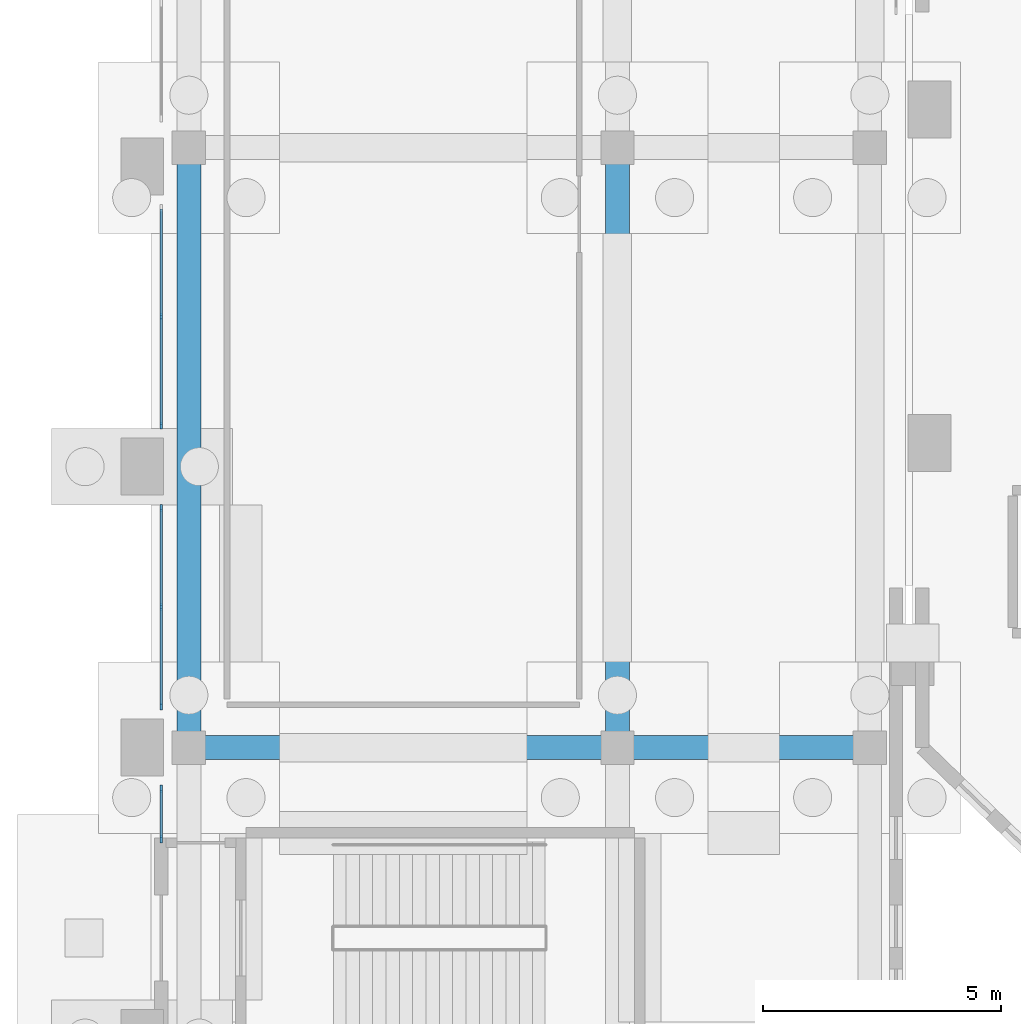
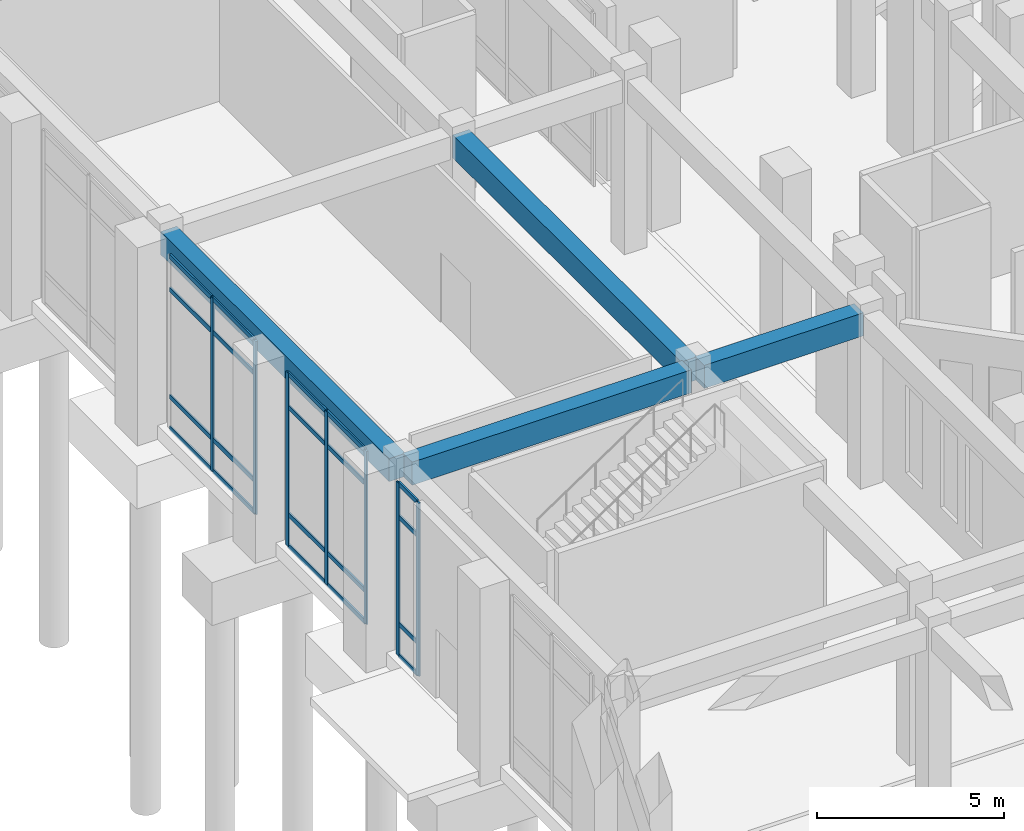
# One storey, part 27 of 143: 27 members, 4 beams, 3 elements without a shape of their own.
"""IFC4 building model written with IfcOpenShell, lengths in metres."""

from ifc_helpers import new_model, si_unit, derived_unit, direction, frame, origin, origin_2d, place, context, subcontext, project, spatial, rectangle, extrude, material, layer, layer_set, material_profile, profile_set, type_object, element, aggregate, save


model = new_model("IFC4")

# Units and contexts
model_context = context("Model", 3, precision=1e-05, world=origin(), true_north=direction((0.0, 1.0)))
body_context = subcontext(model_context, "Body", "Model", "MODEL_VIEW")
ifc_project = project(units=[si_unit("LENGTHUNIT", "METRE"), si_unit("AREAUNIT", "SQUARE_METRE"), si_unit("VOLUMEUNIT", "CUBIC_METRE"), si_unit("PLANEANGLEUNIT", "RADIAN"), si_unit("MASSUNIT", "GRAM", prefix="KILO"), derived_unit("THERMALTRANSMITTANCEUNIT", [(si_unit("MASSUNIT", "GRAM", prefix="KILO"), 1), (si_unit("TIMEUNIT", "SECOND"), -3), (si_unit("THERMODYNAMICTEMPERATUREUNIT", "KELVIN"), -1)])], contexts=[model_context])

# Site, building, storey
site_placement = place(None, origin())
site = spatial("IfcSite", under=ifc_project, at=site_placement, CompositionType="ELEMENT")
building_placement = place(site_placement, origin())
building = spatial("IfcBuilding", under=site, at=building_placement, Name="Valcora Ridge Arena", CompositionType="ELEMENT")
storey_placement = place(building_placement, origin())
storey = spatial("IfcBuildingStorey", under=building, at=storey_placement, Name="L00", CompositionType="ELEMENT", Elevation=0.0)

# Beams
ifc_material_1 = material(Name="Concrete C40/50", Category="concrete")
ifc_material_profile_1 = material_profile(ifc_material_1, rectangle(XDim=0.5, YDim=0.75, at=origin_2d()), Name="RC 500x750")
ifc_profile_set_1 = profile_set([ifc_material_profile_1], Name="Concrete C40/50")
beam_type_1 = type_object("IfcBeamType", Name="TY-BEAM-B-RC500-X", PredefinedType="BEAM", material=ifc_profile_set_1)
beam_1_placement = place(storey_placement, frame((1.0, 32.60009765625, 5.264892578125), z_axis=(1.0, 0.0, 0.0), x_axis=(0.0, 1.0, 0.0)))
element("IfcBeam", 1, at=beam_1_placement, inside=storey, type_object=beam_type_1, Name="B-RC500-X BEM-B-RC500-X-0017", PredefinedType="BEAM", context=body_context, shape_type="SweptSolid", body=[
    extrude(rectangle(XDim=0.5, YDim=0.75, at=origin_2d()), origin(), (0.0, 0.0, 1.0), 8.60009765625),
])
beam_2_placement = place(storey_placement, frame((10.0, 32.60009765625, 5.264892578125), z_axis=(1.0, 0.0, 0.0), x_axis=(0.0, 1.0, 0.0)))
element("IfcBeam", 2, at=beam_2_placement, inside=storey, type_object=beam_type_1, Name="B-RC500-X BEM-B-RC500-X-0018", PredefinedType="BEAM", context=body_context, shape_type="SweptSolid", body=[
    extrude(rectangle(XDim=0.5, YDim=0.75, at=origin_2d()), origin(), (0.0, 0.0, 1.0), 4.89990234375),
])
ifc_material_profile_2 = material_profile(ifc_material_1, rectangle(XDim=0.5, YDim=0.75, at=origin_2d()), Name="RC 500x750")
ifc_profile_set_2 = profile_set([ifc_material_profile_2], Name="Concrete C40/50")
beam_type_2 = type_object("IfcBeamType", Name="TY-BEAM-B-RC500-Y", PredefinedType="BEAM", material=ifc_profile_set_2)
for number, where, z_axis, x_axis, name in (
    (3, (0.800048828125, 32.800048828125, 5.264892578125), (0.0, 1.0, 0.0), (-1.0, 0.0, 0.0), "B-RC500-Y BEM-B-RC500-Y-0004"),
    (4, (9.800048828125, 32.800048828125, 5.264892578125), (0.0, 1.0, 0.0), (-1.0, 0.0, 0.0), "B-RC500-Y BEM-B-RC500-Y-0012"),
):
    element("IfcBeam", number, at=place(storey_placement, frame(where, z_axis=z_axis, x_axis=x_axis)), inside=storey, type_object=beam_type_2, Name=name, PredefinedType="BEAM", context=body_context, shape_type="SweptSolid", body=[
        extrude(rectangle(XDim=0.5, YDim=0.75, at=origin_2d()), origin(), (0.0, 0.0, 1.0), 12.199951171875),
    ])

# Curtain wall, members
ifc_material_2 = material(Name="Anodised dark bronze architectural aluminium 6063-T6", Category="aluminium")
ifc_layer_1 = layer(ifc_material_2, 0.14990234375, Name="Anodised dark bronze architectural aluminium 6063-T6")
ifc_layer_set_1 = layer_set([ifc_layer_1], Name="Anodised dark bronze architectural aluminium 6063-T6")
curtain_wall_type_1 = type_object("IfcCurtainWallType", Name="TY-CURTAINWALL-CW-V4-CLUB-011X56", PredefinedType="NOTDEFINED", material=ifc_layer_set_1)
curtain_wall_1_placement = place(storey_placement, origin())
curtain_wall_1 = element("IfcCurtainWall", 5, at=curtain_wall_1_placement, inside=storey, type_object=curtain_wall_type_1, Name="CW-V4-CLUB-011X56 CW-0191", PredefinedType="NOTDEFINED")
ifc_material_profile_3 = material_profile(ifc_material_2, rectangle(XDim=0.050048828125, YDim=0.14990234375, at=origin_2d()), Name="ALU MULLION 50x150")
ifc_profile_set_3 = profile_set([ifc_material_profile_3], Name="Anodised dark bronze architectural aluminium 6063-T6")
member_type_1 = type_object("IfcMemberType", Name="TY-MEM-CWM-50x150", PredefinedType="MULLION", material=ifc_profile_set_3)
member_1_placement = place(storey_placement, frame((0.219970703125, 30.675048828125, 0.0), z_axis=(0.0, 0.0, 1.0), x_axis=(-1.0, 0.0, 0.0)))
member_1 = element("IfcMember", 6, at=member_1_placement, type_object=member_type_1, Name="CW-0191/CWM-50x150/M00", PredefinedType="MULLION", context=body_context, shape_type="SweptSolid", body=[
    extrude(rectangle(XDim=0.050048828125, YDim=0.14990234375, at=origin_2d()), origin(), (0.0, 0.0, 1.0), 5.639892578125),
])
member_2_placement = place(storey_placement, frame((0.219970703125, 31.735107421875, 0.0), z_axis=(0.0, 0.0, 1.0), x_axis=(-1.0, 0.0, 0.0)))
member_2 = element("IfcMember", 7, at=member_2_placement, type_object=member_type_1, Name="CW-0191/CWM-50x150/M01", PredefinedType="MULLION", context=body_context, shape_type="SweptSolid", body=[
    extrude(rectangle(XDim=0.050048828125, YDim=0.14990234375, at=origin_2d()), origin(), (0.0, 0.0, 1.0), 5.639892578125),
])

ifc_layer_2 = layer(ifc_material_2, 0.14990234375, Name="Anodised dark bronze architectural aluminium 6063-T6")
ifc_layer_set_2 = layer_set([ifc_layer_2], Name="Anodised dark bronze architectural aluminium 6063-T6")
curtain_wall_type_2 = type_object("IfcCurtainWallType", Name="TY-CURTAINWALL-CW-V4-CLUB-042X56", PredefinedType="NOTDEFINED", material=ifc_layer_set_2)
curtain_wall_2_placement = place(storey_placement, origin())
curtain_wall_2 = element("IfcCurtainWall", 8, at=curtain_wall_2_placement, inside=storey, type_object=curtain_wall_type_2, Name="CW-V4-CLUB-042X56 CW-0192", PredefinedType="NOTDEFINED")
member_3_placement = place(storey_placement, frame((0.219970703125, 33.465087890625, 0.0), z_axis=(0.0, 0.0, 1.0), x_axis=(-1.0, 0.0, 0.0)))
member_3 = element("IfcMember", 9, at=member_3_placement, type_object=member_type_1, Name="CW-0192/CWM-50x150/M00", PredefinedType="MULLION", context=body_context, shape_type="SweptSolid", body=[
    extrude(rectangle(XDim=0.050048828125, YDim=0.14990234375, at=origin_2d()), origin(), (0.0, 0.0, 1.0), 5.639892578125),
])
member_4_placement = place(storey_placement, frame((0.219970703125, 35.550048828125, 0.0), z_axis=(0.0, 0.0, 1.0), x_axis=(-1.0, 0.0, 0.0)))
member_4 = element("IfcMember", 10, at=member_4_placement, type_object=member_type_1, Name="CW-0192/CWM-50x150/M01", PredefinedType="MULLION", context=body_context, shape_type="SweptSolid", body=[
    extrude(rectangle(XDim=0.050048828125, YDim=0.14990234375, at=origin_2d()), origin(), (0.0, 0.0, 1.0), 5.639892578125),
])
member_5_placement = place(storey_placement, frame((0.219970703125, 37.635009765625, 0.0), z_axis=(0.0, 0.0, 1.0), x_axis=(-1.0, 0.0, 0.0)))
member_5 = element("IfcMember", 11, at=member_5_placement, type_object=member_type_1, Name="CW-0192/CWM-50x150/M02", PredefinedType="MULLION", context=body_context, shape_type="SweptSolid", body=[
    extrude(rectangle(XDim=0.050048828125, YDim=0.14990234375, at=origin_2d()), origin(), (0.0, 0.0, 1.0), 5.639892578125),
])

ifc_layer_3 = layer(ifc_material_2, 0.14990234375, Name="Anodised dark bronze architectural aluminium 6063-T6")
ifc_layer_set_3 = layer_set([ifc_layer_3], Name="Anodised dark bronze architectural aluminium 6063-T6")
curtain_wall_type_3 = type_object("IfcCurtainWallType", Name="TY-CURTAINWALL-CW-V4-CLUB-046X56", PredefinedType="NOTDEFINED", material=ifc_layer_set_3)
curtain_wall_3_placement = place(storey_placement, origin())
curtain_wall_3 = element("IfcCurtainWall", 12, at=curtain_wall_3_placement, inside=storey, type_object=curtain_wall_type_3, Name="CW-V4-CLUB-046X56 CW-0193", PredefinedType="NOTDEFINED")
member_6_placement = place(storey_placement, frame((0.219970703125, 39.364990234375, 0.0), z_axis=(0.0, 0.0, 1.0), x_axis=(-1.0, 0.0, 0.0)))
member_6 = element("IfcMember", 13, at=member_6_placement, type_object=member_type_1, Name="CW-0193/CWM-50x150/M00", PredefinedType="MULLION", context=body_context, shape_type="SweptSolid", body=[
    extrude(rectangle(XDim=0.050048828125, YDim=0.14990234375, at=origin_2d()), origin(), (0.0, 0.0, 1.0), 5.639892578125),
])
member_7_placement = place(storey_placement, frame((0.219970703125, 41.64990234375, 0.0), z_axis=(0.0, 0.0, 1.0), x_axis=(-1.0, 0.0, 0.0)))
member_7 = element("IfcMember", 14, at=member_7_placement, type_object=member_type_1, Name="CW-0193/CWM-50x150/M01", PredefinedType="MULLION", context=body_context, shape_type="SweptSolid", body=[
    extrude(rectangle(XDim=0.050048828125, YDim=0.14990234375, at=origin_2d()), origin(), (0.0, 0.0, 1.0), 5.639892578125),
])

# Member
ifc_material_profile_4 = material_profile(ifc_material_2, rectangle(XDim=0.050048828125, YDim=0.14990234375, at=origin_2d()), Name="ALU TRANSOM 50x150")
ifc_profile_set_4 = profile_set([ifc_material_profile_4], Name="Anodised dark bronze architectural aluminium 6063-T6")
member_type_2 = type_object("IfcMemberType", Name="TY-MEM-CWT-50x150", PredefinedType="USERDEFINED", material=ifc_profile_set_4)
member_8_placement = place(storey_placement, frame((0.219970703125, 30.699951171875, 0.02490234375), z_axis=(0.0, 1.0, 0.0), x_axis=(-1.0, 0.0, 0.0)))
member_8 = element("IfcMember", 15, at=member_8_placement, type_object=member_type_2, Name="CW-0191/CWT-50x150/T00-00", ObjectType="TRANSOM", PredefinedType="USERDEFINED", context=body_context, shape_type="SweptSolid", body=[
    extrude(rectangle(XDim=0.050048828125, YDim=0.14990234375, at=origin_2d()), origin(), (0.0, 0.0, 1.0), 1.010009765625),
])

member_9_placement = place(storey_placement, frame((0.219970703125, 30.699951171875, 1.050048828125), z_axis=(0.0, 1.0, 0.0), x_axis=(-1.0, 0.0, 0.0)))
member_9 = element("IfcMember", 16, at=member_9_placement, type_object=member_type_2, Name="CW-0191/CWT-50x150/T00-01", ObjectType="TRANSOM", PredefinedType="USERDEFINED", context=body_context, shape_type="SweptSolid", body=[
    extrude(rectangle(XDim=0.050048828125, YDim=0.14990234375, at=origin_2d()), origin(), (0.0, 0.0, 1.0), 1.010009765625),
])

member_10_placement = place(storey_placement, frame((0.219970703125, 30.699951171875, 4.5400390625), z_axis=(0.0, 1.0, 0.0), x_axis=(-1.0, 0.0, 0.0)))
member_10 = element("IfcMember", 17, at=member_10_placement, type_object=member_type_2, Name="CW-0191/CWT-50x150/T00-02", ObjectType="TRANSOM", PredefinedType="USERDEFINED", context=body_context, shape_type="SweptSolid", body=[
    extrude(rectangle(XDim=0.050048828125, YDim=0.14990234375, at=origin_2d()), origin(), (0.0, 0.0, 1.0), 1.010009765625),
])

member_11_placement = place(storey_placement, frame((0.219970703125, 30.699951171875, 5.614990234375), z_axis=(0.0, 1.0, 0.0), x_axis=(-1.0, 0.0, 0.0)))
member_11 = element("IfcMember", 18, at=member_11_placement, type_object=member_type_2, Name="CW-0191/CWT-50x150/T00-03", ObjectType="TRANSOM", PredefinedType="USERDEFINED", context=body_context, shape_type="SweptSolid", body=[
    extrude(rectangle(XDim=0.050048828125, YDim=0.14990234375, at=origin_2d()), origin(), (0.0, 0.0, 1.0), 1.010009765625),
])

aggregate(curtain_wall_1, [member_1, member_2, member_8, member_9, member_10, member_11])

member_12_placement = place(storey_placement, frame((0.219970703125, 33.489990234375, 0.02490234375), z_axis=(0.0, 1.0, 0.0), x_axis=(-1.0, 0.0, 0.0)))
member_12 = element("IfcMember", 19, at=member_12_placement, type_object=member_type_2, Name="CW-0192/CWT-50x150/T00-00", ObjectType="TRANSOM", PredefinedType="USERDEFINED", context=body_context, shape_type="SweptSolid", body=[
    extrude(rectangle(XDim=0.050048828125, YDim=0.14990234375, at=origin_2d()), origin(), (0.0, 0.0, 1.0), 2.034912109375),
])

member_13_placement = place(storey_placement, frame((0.219970703125, 33.489990234375, 1.050048828125), z_axis=(0.0, 1.0, 0.0), x_axis=(-1.0, 0.0, 0.0)))
member_13 = element("IfcMember", 20, at=member_13_placement, type_object=member_type_2, Name="CW-0192/CWT-50x150/T00-01", ObjectType="TRANSOM", PredefinedType="USERDEFINED", context=body_context, shape_type="SweptSolid", body=[
    extrude(rectangle(XDim=0.050048828125, YDim=0.14990234375, at=origin_2d()), origin(), (0.0, 0.0, 1.0), 2.034912109375),
])

member_14_placement = place(storey_placement, frame((0.219970703125, 33.489990234375, 4.5400390625), z_axis=(0.0, 1.0, 0.0), x_axis=(-1.0, 0.0, 0.0)))
member_14 = element("IfcMember", 21, at=member_14_placement, type_object=member_type_2, Name="CW-0192/CWT-50x150/T00-02", ObjectType="TRANSOM", PredefinedType="USERDEFINED", context=body_context, shape_type="SweptSolid", body=[
    extrude(rectangle(XDim=0.050048828125, YDim=0.14990234375, at=origin_2d()), origin(), (0.0, 0.0, 1.0), 2.034912109375),
])

member_15_placement = place(storey_placement, frame((0.219970703125, 33.489990234375, 5.614990234375), z_axis=(0.0, 1.0, 0.0), x_axis=(-1.0, 0.0, 0.0)))
member_15 = element("IfcMember", 22, at=member_15_placement, type_object=member_type_2, Name="CW-0192/CWT-50x150/T00-03", ObjectType="TRANSOM", PredefinedType="USERDEFINED", context=body_context, shape_type="SweptSolid", body=[
    extrude(rectangle(XDim=0.050048828125, YDim=0.14990234375, at=origin_2d()), origin(), (0.0, 0.0, 1.0), 2.034912109375),
])

member_16_placement = place(storey_placement, frame((0.219970703125, 35.574951171875, 0.02490234375), z_axis=(0.0, 1.0, 0.0), x_axis=(-1.0, 0.0, 0.0)))
member_16 = element("IfcMember", 23, at=member_16_placement, type_object=member_type_2, Name="CW-0192/CWT-50x150/T01-00", ObjectType="TRANSOM", PredefinedType="USERDEFINED", context=body_context, shape_type="SweptSolid", body=[
    extrude(rectangle(XDim=0.050048828125, YDim=0.14990234375, at=origin_2d()), origin(), (0.0, 0.0, 1.0), 2.03515625),
])

member_17_placement = place(storey_placement, frame((0.219970703125, 35.574951171875, 1.050048828125), z_axis=(0.0, 1.0, 0.0), x_axis=(-1.0, 0.0, 0.0)))
member_17 = element("IfcMember", 24, at=member_17_placement, type_object=member_type_2, Name="CW-0192/CWT-50x150/T01-01", ObjectType="TRANSOM", PredefinedType="USERDEFINED", context=body_context, shape_type="SweptSolid", body=[
    extrude(rectangle(XDim=0.050048828125, YDim=0.14990234375, at=origin_2d()), origin(), (0.0, 0.0, 1.0), 2.03515625),
])

member_18_placement = place(storey_placement, frame((0.219970703125, 35.574951171875, 4.5400390625), z_axis=(0.0, 1.0, 0.0), x_axis=(-1.0, 0.0, 0.0)))
member_18 = element("IfcMember", 25, at=member_18_placement, type_object=member_type_2, Name="CW-0192/CWT-50x150/T01-02", ObjectType="TRANSOM", PredefinedType="USERDEFINED", context=body_context, shape_type="SweptSolid", body=[
    extrude(rectangle(XDim=0.050048828125, YDim=0.14990234375, at=origin_2d()), origin(), (0.0, 0.0, 1.0), 2.03515625),
])

member_19_placement = place(storey_placement, frame((0.219970703125, 35.574951171875, 5.614990234375), z_axis=(0.0, 1.0, 0.0), x_axis=(-1.0, 0.0, 0.0)))
member_19 = element("IfcMember", 26, at=member_19_placement, type_object=member_type_2, Name="CW-0192/CWT-50x150/T01-03", ObjectType="TRANSOM", PredefinedType="USERDEFINED", context=body_context, shape_type="SweptSolid", body=[
    extrude(rectangle(XDim=0.050048828125, YDim=0.14990234375, at=origin_2d()), origin(), (0.0, 0.0, 1.0), 2.03515625),
])

aggregate(curtain_wall_2, [member_3, member_4, member_5, member_12, member_13, member_14, member_15, member_16, member_17, member_18, member_19])

member_20_placement = place(storey_placement, frame((0.219970703125, 39.389892578125, 0.02490234375), z_axis=(0.0, 1.0, 0.0), x_axis=(-1.0, 0.0, 0.0)))
member_20 = element("IfcMember", 27, at=member_20_placement, type_object=member_type_2, Name="CW-0193/CWT-50x150/T00-00", ObjectType="TRANSOM", PredefinedType="USERDEFINED", context=body_context, shape_type="SweptSolid", body=[
    extrude(rectangle(XDim=0.050048828125, YDim=0.14990234375, at=origin_2d()), origin(), (0.0, 0.0, 1.0), 2.235107421875),
])

member_21_placement = place(storey_placement, frame((0.219970703125, 39.389892578125, 1.050048828125), z_axis=(0.0, 1.0, 0.0), x_axis=(-1.0, 0.0, 0.0)))
member_21 = element("IfcMember", 28, at=member_21_placement, type_object=member_type_2, Name="CW-0193/CWT-50x150/T00-01", ObjectType="TRANSOM", PredefinedType="USERDEFINED", context=body_context, shape_type="SweptSolid", body=[
    extrude(rectangle(XDim=0.050048828125, YDim=0.14990234375, at=origin_2d()), origin(), (0.0, 0.0, 1.0), 2.235107421875),
])

member_22_placement = place(storey_placement, frame((0.219970703125, 39.389892578125, 4.5400390625), z_axis=(0.0, 1.0, 0.0), x_axis=(-1.0, 0.0, 0.0)))
member_22 = element("IfcMember", 29, at=member_22_placement, type_object=member_type_2, Name="CW-0193/CWT-50x150/T00-02", ObjectType="TRANSOM", PredefinedType="USERDEFINED", context=body_context, shape_type="SweptSolid", body=[
    extrude(rectangle(XDim=0.050048828125, YDim=0.14990234375, at=origin_2d()), origin(), (0.0, 0.0, 1.0), 2.235107421875),
])

member_23_placement = place(storey_placement, frame((0.219970703125, 39.389892578125, 5.614990234375), z_axis=(0.0, 1.0, 0.0), x_axis=(-1.0, 0.0, 0.0)))
member_23 = element("IfcMember", 30, at=member_23_placement, type_object=member_type_2, Name="CW-0193/CWT-50x150/T00-03", ObjectType="TRANSOM", PredefinedType="USERDEFINED", context=body_context, shape_type="SweptSolid", body=[
    extrude(rectangle(XDim=0.050048828125, YDim=0.14990234375, at=origin_2d()), origin(), (0.0, 0.0, 1.0), 2.235107421875),
])

member_24_placement = place(storey_placement, frame((0.219970703125, 41.675048828125, 0.02490234375), z_axis=(0.0, 1.0, 0.0), x_axis=(-1.0, 0.0, 0.0)))
member_24 = element("IfcMember", 31, at=member_24_placement, type_object=member_type_2, Name="CW-0193/CWT-50x150/T01-00", ObjectType="TRANSOM", PredefinedType="USERDEFINED", context=body_context, shape_type="SweptSolid", body=[
    extrude(rectangle(XDim=0.050048828125, YDim=0.14990234375, at=origin_2d()), origin(), (0.0, 0.0, 1.0), 2.23486328125),
])

member_25_placement = place(storey_placement, frame((0.219970703125, 41.675048828125, 1.050048828125), z_axis=(0.0, 1.0, 0.0), x_axis=(-1.0, 0.0, 0.0)))
member_25 = element("IfcMember", 32, at=member_25_placement, type_object=member_type_2, Name="CW-0193/CWT-50x150/T01-01", ObjectType="TRANSOM", PredefinedType="USERDEFINED", context=body_context, shape_type="SweptSolid", body=[
    extrude(rectangle(XDim=0.050048828125, YDim=0.14990234375, at=origin_2d()), origin(), (0.0, 0.0, 1.0), 2.23486328125),
])

member_26_placement = place(storey_placement, frame((0.219970703125, 41.675048828125, 4.5400390625), z_axis=(0.0, 1.0, 0.0), x_axis=(-1.0, 0.0, 0.0)))
member_26 = element("IfcMember", 33, at=member_26_placement, type_object=member_type_2, Name="CW-0193/CWT-50x150/T01-02", ObjectType="TRANSOM", PredefinedType="USERDEFINED", context=body_context, shape_type="SweptSolid", body=[
    extrude(rectangle(XDim=0.050048828125, YDim=0.14990234375, at=origin_2d()), origin(), (0.0, 0.0, 1.0), 2.23486328125),
])

member_27_placement = place(storey_placement, frame((0.219970703125, 41.675048828125, 5.614990234375), z_axis=(0.0, 1.0, 0.0), x_axis=(-1.0, 0.0, 0.0)))
member_27 = element("IfcMember", 34, at=member_27_placement, type_object=member_type_2, Name="CW-0193/CWT-50x150/T01-03", ObjectType="TRANSOM", PredefinedType="USERDEFINED", context=body_context, shape_type="SweptSolid", body=[
    extrude(rectangle(XDim=0.050048828125, YDim=0.14990234375, at=origin_2d()), origin(), (0.0, 0.0, 1.0), 2.23486328125),
])

aggregate(curtain_wall_3, [member_6, member_7, member_20, member_21, member_22, member_23, member_24, member_25, member_26, member_27])

save(model, "model.ifc")
